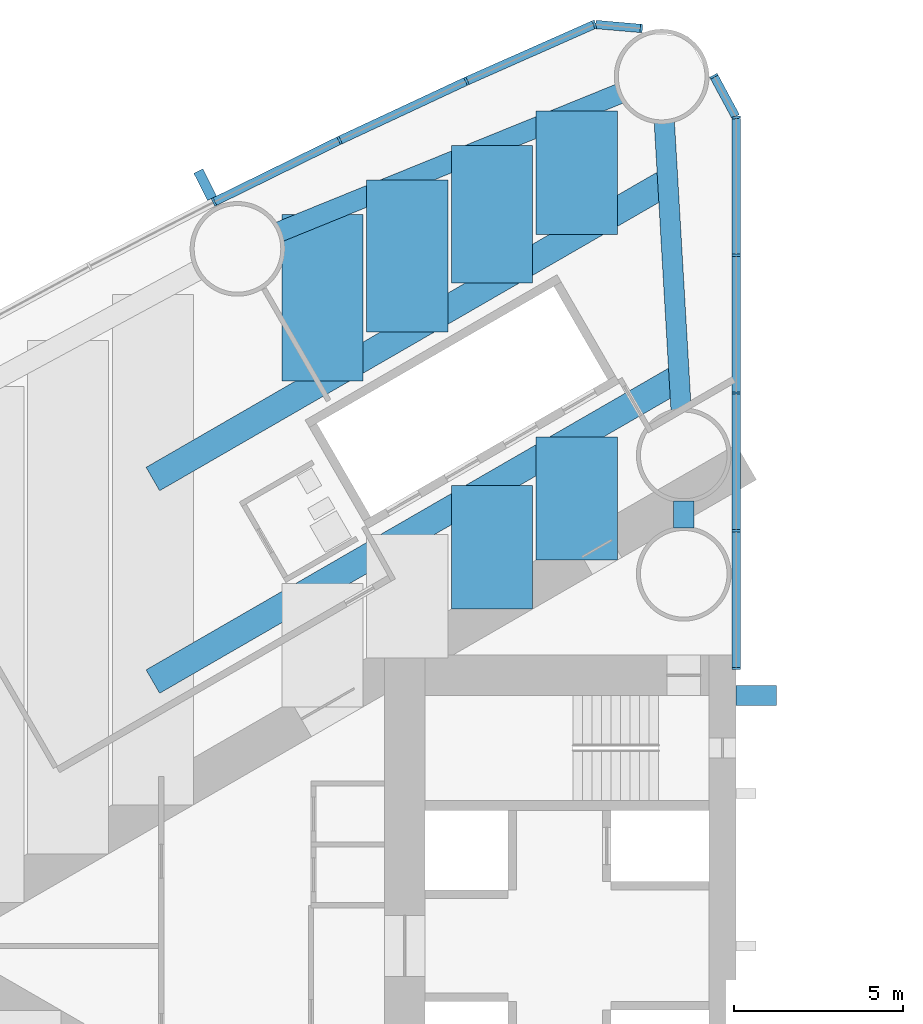
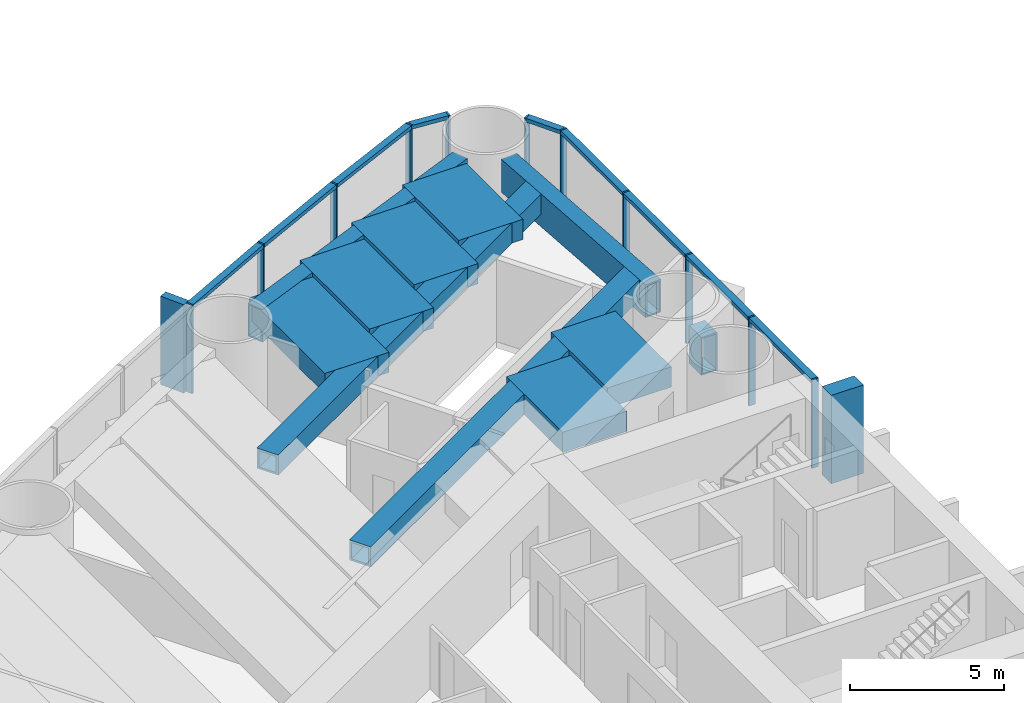
# One storey, part 5 of 19: 22 members, 11 beams, 2 elements without a shape of their own.
"""IFC4 building model written with IfcOpenShell, lengths in metres."""

from ifc_helpers import new_model, si_unit, direction, frame, origin, origin_2d, place, context, subcontext, project, spatial, rectangle, hollow_rectangle, extrude, material, material_profile, profile_set, type_object, element, aggregate, save


model = new_model("IFC4")

# Units and contexts
model_context = context("Model", 3, precision=1e-05, world=origin(), true_north=direction((0.0, 1.0)))
body_context = subcontext(model_context, "Body", "Model", "MODEL_VIEW")
ifc_project = project(units=[si_unit("LENGTHUNIT", "METRE"), si_unit("AREAUNIT", "SQUARE_METRE"), si_unit("VOLUMEUNIT", "CUBIC_METRE"), si_unit("PLANEANGLEUNIT", "RADIAN"), si_unit("MASSUNIT", "GRAM", prefix="KILO")], contexts=[model_context])

# Site, building, storey
site_placement = place(None, origin())
site = spatial("IfcSite", under=ifc_project, at=site_placement, CompositionType="ELEMENT")
building_placement = place(site_placement, origin())
building = spatial("IfcBuilding", under=site, at=building_placement, Name="Lancet Gate Hotel", CompositionType="ELEMENT")
storey_placement = place(building_placement, frame((0.0, 0.0, 74.0)))
storey = spatial("IfcBuildingStorey", under=building, at=storey_placement, Name="L19", CompositionType="ELEMENT", Elevation=74.0)

# Curtain wall, members
ifc_material_1 = material(Name="Aluminium curtain wall", Category="aluminium")
curtain_wall_type = type_object("IfcCurtainWallType", Name="Tower unitised curtain wall", PredefinedType="USERDEFINED", material=ifc_material_1)
curtain_wall_1_placement = place(storey_placement, origin())
curtain_wall_1 = element("IfcCurtainWall", 1, at=curtain_wall_1_placement, inside=storey, type_object=curtain_wall_type, Name="T1 L19 curtain wall 1", ObjectType="UNITISED CURTAIN WALL", PredefinedType="USERDEFINED")
ifc_material_2 = material(Name="Aluminium mullion", Category="aluminium")
ifc_material_profile_1 = material_profile(ifc_material_2, rectangle(XDim=0.06494140625, YDim=0.25, at=origin_2d()), Name="MULLION 65x250")
ifc_profile_set_1 = profile_set([ifc_material_profile_1], Name="Aluminium mullion")
member_type_1 = type_object("IfcMemberType", Name="Aluminium mullion 65x250", PredefinedType="MULLION", material=ifc_profile_set_1)
member_1_placement = place(storey_placement, frame((-27.5, 8.199951171875, 0.0), z_axis=(0.0, 0.0, 1.0), x_axis=(0.0, 1.0, 0.0)))
member_1 = element("IfcMember", 2, at=member_1_placement, type_object=member_type_1, Name="T1 L19 curtain wall 1 mullion 1", PredefinedType="MULLION", context=body_context, shape_type="SweptSolid", body=[
    extrude(rectangle(XDim=0.06494140625, YDim=0.25, at=origin_2d()), origin(), (0.0, 0.0, 1.0), 3.5),
])
member_2_placement = place(storey_placement, frame((-27.5, 12.272705078125, 0.0), z_axis=(0.0, 0.0, 1.0), x_axis=(0.0, 1.0, 0.0)))
member_2 = element("IfcMember", 3, at=member_2_placement, type_object=member_type_1, Name="T1 L19 curtain wall 1 mullion 2", PredefinedType="MULLION", context=body_context, shape_type="SweptSolid", body=[
    extrude(rectangle(XDim=0.06494140625, YDim=0.25, at=origin_2d()), origin(), (0.0, 0.0, 1.0), 3.5),
])
member_3_placement = place(storey_placement, frame((-27.5, 16.345703125, 0.0), z_axis=(0.0, 0.0, 1.0), x_axis=(0.0, 1.0, 0.0)))
member_3 = element("IfcMember", 4, at=member_3_placement, type_object=member_type_1, Name="T1 L19 curtain wall 1 mullion 3", PredefinedType="MULLION", context=body_context, shape_type="SweptSolid", body=[
    extrude(rectangle(XDim=0.06494140625, YDim=0.25, at=origin_2d()), origin(), (0.0, 0.0, 1.0), 3.5),
])
member_4_placement = place(storey_placement, frame((-27.5, 20.41845703125, 0.0), z_axis=(0.0, 0.0, 1.0), x_axis=(0.0, 1.0, 0.0)))
member_4 = element("IfcMember", 5, at=member_4_placement, type_object=member_type_1, Name="T1 L19 curtain wall 1 mullion 4", PredefinedType="MULLION", context=body_context, shape_type="SweptSolid", body=[
    extrude(rectangle(XDim=0.06494140625, YDim=0.25, at=origin_2d()), origin(), (0.0, 0.0, 1.0), 3.5),
])
member_5_placement = place(storey_placement, frame((-27.5, 24.4912109375, 0.0), z_axis=(0.0, 0.0, 1.0), x_axis=(-0.123482502544, 0.992346749662, 0.0)))
member_5 = element("IfcMember", 6, at=member_5_placement, type_object=member_type_1, Name="T1 L19 curtain wall 1 mullion 5", PredefinedType="MULLION", context=body_context, shape_type="SweptSolid", body=[
    extrude(rectangle(XDim=0.06494140625, YDim=0.25, at=origin_2d()), origin(), (0.0, 0.0, 1.0), 3.5),
])
member_6_placement = place(storey_placement, frame((-28.158935546875, 25.712890625, 0.0), z_axis=(0.0, 0.0, 1.0), x_axis=(-0.474631040972, 0.880184852714, 0.0)))
member_6 = element("IfcMember", 7, at=member_6_placement, type_object=member_type_1, Name="T1 L19 curtain wall 1 mullion 6", PredefinedType="MULLION", context=body_context, shape_type="SweptSolid", body=[
    extrude(rectangle(XDim=0.06494140625, YDim=0.25, at=origin_2d()), origin(), (0.0, 0.0, 1.0), 3.5),
])

curtain_wall_2_placement = place(storey_placement, origin())
curtain_wall_2 = element("IfcCurtainWall", 8, at=curtain_wall_2_placement, inside=storey, type_object=curtain_wall_type, Name="T1 L19 curtain wall 2", ObjectType="UNITISED CURTAIN WALL", PredefinedType="USERDEFINED")
member_7_placement = place(storey_placement, frame((-30.3046875, 27.124755859375, 0.0), z_axis=(0.0, 0.0, 1.0), x_axis=(-0.99620380374, 0.087051602022, 0.0)))
member_7 = element("IfcMember", 9, at=member_7_placement, type_object=member_type_1, Name="T1 L19 curtain wall 2 mullion 1", PredefinedType="MULLION", context=body_context, shape_type="SweptSolid", body=[
    extrude(rectangle(XDim=0.06494140625, YDim=0.25, at=origin_2d()), origin(), (0.0, 0.0, 1.0), 3.5),
])
member_8_placement = place(storey_placement, frame((-31.688720703125, 27.24560546875, 0.0), z_axis=(0.0, 0.0, 1.0), x_axis=(-0.957524354695, -0.288352406209, 0.0)))
member_8 = element("IfcMember", 10, at=member_8_placement, type_object=member_type_1, Name="T1 L19 curtain wall 2 mullion 2", PredefinedType="MULLION", context=body_context, shape_type="SweptSolid", body=[
    extrude(rectangle(XDim=0.06494140625, YDim=0.25, at=origin_2d()), origin(), (0.0, 0.0, 1.0), 3.5),
])
member_9_placement = place(storey_placement, frame((-35.473876953125, 25.568115234375, 0.0), z_axis=(0.0, 0.0, 1.0), x_axis=(-0.910219680212, -0.414125746308, 0.0)))
member_9 = element("IfcMember", 11, at=member_9_placement, type_object=member_type_1, Name="T1 L19 curtain wall 2 mullion 3", PredefinedType="MULLION", context=body_context, shape_type="SweptSolid", body=[
    extrude(rectangle(XDim=0.06494140625, YDim=0.25, at=origin_2d()), origin(), (0.0, 0.0, 1.0), 3.5),
])
member_10_placement = place(storey_placement, frame((-39.225341796875, 23.816650390625, 0.0), z_axis=(0.0, 0.0, 1.0), x_axis=(-0.901928838337, -0.431884672772, 0.0)))
member_10 = element("IfcMember", 12, at=member_10_placement, type_object=member_type_1, Name="T1 L19 curtain wall 2 mullion 4", PredefinedType="MULLION", context=body_context, shape_type="SweptSolid", body=[
    extrude(rectangle(XDim=0.06494140625, YDim=0.25, at=origin_2d()), origin(), (0.0, 0.0, 1.0), 3.5),
])
member_11_placement = place(storey_placement, frame((-42.94189453125, 21.991943359375, 0.0), z_axis=(0.0, 0.0, 1.0), x_axis=(-0.893291549794, -0.449477704748, 0.0)))
member_11 = element("IfcMember", 13, at=member_11_placement, type_object=member_type_1, Name="T1 L19 curtain wall 2 mullion 5", PredefinedType="MULLION", context=body_context, shape_type="SweptSolid", body=[
    extrude(rectangle(XDim=0.06494140625, YDim=0.25, at=origin_2d()), origin(), (0.0, 0.0, 1.0), 3.5),
])

# Member
ifc_material_3 = material(Name="Aluminium transom", Category="aluminium")
ifc_material_profile_2 = material_profile(ifc_material_3, rectangle(XDim=0.25, YDim=0.14990234375, at=origin_2d()), Name="TRANSOM 250x150")
ifc_profile_set_2 = profile_set([ifc_material_profile_2], Name="Aluminium transom")
member_type_2 = type_object("IfcMemberType", Name="Aluminium transom 250x150", PredefinedType="USERDEFINED", material=ifc_profile_set_2)
member_12_placement = place(storey_placement, frame((-27.5, 8.232421875, 3.425048828125), z_axis=(0.0, 1.0, 0.0), x_axis=(-1.0, 0.0, 0.0)))
member_12 = element("IfcMember", 14, at=member_12_placement, type_object=member_type_2, Name="T1 L19 curtain wall 1 transom 1", ObjectType="TRANSOM", PredefinedType="USERDEFINED", context=body_context, shape_type="SweptSolid", body=[
    extrude(rectangle(XDim=0.25, YDim=0.14990234375, at=origin_2d()), origin(), (0.0, 0.0, 1.0), 4.0078125),
])

member_13_placement = place(storey_placement, frame((-27.5, 12.30517578125, 3.425048828125), z_axis=(0.0, 1.0, 0.0), x_axis=(-1.0, 0.0, 0.0)))
member_13 = element("IfcMember", 15, at=member_13_placement, type_object=member_type_2, Name="T1 L19 curtain wall 1 transom 2", ObjectType="TRANSOM", PredefinedType="USERDEFINED", context=body_context, shape_type="SweptSolid", body=[
    extrude(rectangle(XDim=0.25, YDim=0.14990234375, at=origin_2d()), origin(), (0.0, 0.0, 1.0), 4.0078125),
])

member_14_placement = place(storey_placement, frame((-27.5, 16.378173828125, 3.425048828125), z_axis=(0.0, 1.0, 0.0), x_axis=(-1.0, 0.0, 0.0)))
member_14 = element("IfcMember", 16, at=member_14_placement, type_object=member_type_2, Name="T1 L19 curtain wall 1 transom 3", ObjectType="TRANSOM", PredefinedType="USERDEFINED", context=body_context, shape_type="SweptSolid", body=[
    extrude(rectangle(XDim=0.25, YDim=0.14990234375, at=origin_2d()), origin(), (0.0, 0.0, 1.0), 4.0078125),
])

member_15_placement = place(storey_placement, frame((-27.5, 20.450927734375, 3.425048828125), z_axis=(0.0, 1.0, 0.0), x_axis=(-1.0, 0.0, 0.0)))
member_15 = element("IfcMember", 17, at=member_15_placement, type_object=member_type_2, Name="T1 L19 curtain wall 1 transom 4", ObjectType="TRANSOM", PredefinedType="USERDEFINED", context=body_context, shape_type="SweptSolid", body=[
    extrude(rectangle(XDim=0.25, YDim=0.14990234375, at=origin_2d()), origin(), (0.0, 0.0, 1.0), 4.0078125),
])

member_16_placement = place(storey_placement, frame((-27.515380859375, 24.519775390625, 3.425048828125), z_axis=(-0.474605926905, 0.880198394765, 0.0), x_axis=(-0.880198394765, -0.474605926905, 0.0)))
member_16 = element("IfcMember", 18, at=member_16_placement, type_object=member_type_2, Name="T1 L19 curtain wall 1 transom 5", ObjectType="TRANSOM", PredefinedType="USERDEFINED", context=body_context, shape_type="SweptSolid", body=[
    extrude(rectangle(XDim=0.25, YDim=0.14990234375, at=origin_2d()), origin(), (0.0, 0.0, 1.0), 1.322998046875),
])

aggregate(curtain_wall_1, [member_1, member_2, member_3, member_4, member_5, member_6, member_12, member_13, member_14, member_15, member_16])

member_17_placement = place(storey_placement, frame((-30.337158203125, 27.127685546875, 3.425048828125), z_axis=(-0.99620591587, 0.087027427779, 0.0), x_axis=(-0.087027427779, -0.99620591587, 0.0)))
member_17 = element("IfcMember", 19, at=member_17_placement, type_object=member_type_2, Name="T1 L19 curtain wall 2 transom 1", ObjectType="TRANSOM", PredefinedType="USERDEFINED", context=body_context, shape_type="SweptSolid", body=[
    extrude(rectangle(XDim=0.25, YDim=0.14990234375, at=origin_2d()), origin(), (0.0, 0.0, 1.0), 1.32421875),
])

member_18_placement = place(storey_placement, frame((-31.71826171875, 27.232421875, 3.425048828125), z_axis=(-0.914248281954, -0.405154389022, 0.0), x_axis=(0.405154389022, -0.914248281954, 0.0)))
member_18 = element("IfcMember", 20, at=member_18_placement, type_object=member_type_2, Name="T1 L19 curtain wall 2 transom 2", ObjectType="TRANSOM", PredefinedType="USERDEFINED", context=body_context, shape_type="SweptSolid", body=[
    extrude(rectangle(XDim=0.25, YDim=0.14990234375, at=origin_2d()), origin(), (0.0, 0.0, 1.0), 4.0751953125),
])

member_19_placement = place(storey_placement, frame((-35.503173828125, 25.554443359375, 3.425048828125), z_axis=(-0.906109667261, -0.423042871228, 0.0), x_axis=(0.423042871228, -0.906109667261, 0.0)))
member_19 = element("IfcMember", 21, at=member_19_placement, type_object=member_type_2, Name="T1 L19 curtain wall 2 transom 3", ObjectType="TRANSOM", PredefinedType="USERDEFINED", context=body_context, shape_type="SweptSolid", body=[
    extrude(rectangle(XDim=0.25, YDim=0.14990234375, at=origin_2d()), origin(), (0.0, 0.0, 1.0), 4.075439453125),
])

member_20_placement = place(storey_placement, frame((-39.254638671875, 23.80224609375, 3.425048828125), z_axis=(-0.897662439958, -0.440683723194, 0.0), x_axis=(0.440683723194, -0.897662439958, 0.0)))
member_20 = element("IfcMember", 22, at=member_20_placement, type_object=member_type_2, Name="T1 L19 curtain wall 2 transom 4", ObjectType="TRANSOM", PredefinedType="USERDEFINED", context=body_context, shape_type="SweptSolid", body=[
    extrude(rectangle(XDim=0.25, YDim=0.14990234375, at=origin_2d()), origin(), (0.0, 0.0, 1.0), 4.0751953125),
])

# Beams
ifc_material_4 = material(Name="Steel S460QL", Category="steel")
ifc_material_profile_3 = material_profile(ifc_material_4, hollow_rectangle(XDim=0.60009765625, YDim=1.300048828125, WallThickness=0.050048828125, at=origin_2d()), Name="BOX 1300x600x50")
ifc_profile_set_3 = profile_set([ifc_material_profile_3], Name="Steel S460QL")
beam_type_1 = type_object("IfcBeamType", Name="Edge beam BOX 1300x600x50", PredefinedType="SPANDREL", material=ifc_profile_set_3)
beam_1_placement = place(storey_placement, frame((-30.9541015625, 25.194580078125, 2.60009765625), z_axis=(-0.926458966929, -0.376395779196, 0.0), x_axis=(0.376395779196, -0.926458966929, 0.0)))
element("IfcBeam", 23, at=beam_1_placement, inside=storey, type_object=beam_type_1, Name="T1 edge beam EB2 L19", PredefinedType="SPANDREL", context=body_context, shape_type="SweptSolid", body=[
    extrude(hollow_rectangle(XDim=0.60009765625, YDim=1.300048828125, WallThickness=0.050048828125, at=origin_2d()), origin(), (0.0, 0.0, 1.0), 10.837158203125),
])
beam_2_placement = place(storey_placement, frame((-29.624755859375, 24.35498046875, 2.60009765625), z_axis=(0.058214827762, -0.99830407884, 0.0), x_axis=(0.99830407884, 0.058214827762, 0.0)))
element("IfcBeam", 24, at=beam_2_placement, inside=storey, type_object=beam_type_1, Name="T1 edge beam EB2 L19", PredefinedType="SPANDREL", context=body_context, shape_type="SweptSolid", body=[
    extrude(hollow_rectangle(XDim=0.60009765625, YDim=1.300048828125, WallThickness=0.050048828125, at=origin_2d()), origin(), (0.0, 0.0, 1.0), 8.521728515625),
])

# Member
ifc_material_5 = material(Name="Concrete C60/75", Category="concrete")
ifc_material_profile_4 = material_profile(ifc_material_5, rectangle(XDim=0.60009765625, YDim=1.199951171875, at=origin_2d()), Name="FIN 600x1200")
ifc_profile_set_4 = profile_set([ifc_material_profile_4], Name="Concrete C60/75")
member_type_3 = type_object("IfcMemberType", Name="Exposed concrete buttress pilaster 600x1200", PredefinedType="USERDEFINED", material=ifc_profile_set_4)
member_21_placement = place(storey_placement, frame((-26.909912109375, 7.39990234375, 0.0), z_axis=(0.0, 0.0, 1.0), x_axis=(0.0, 1.0, 0.0)))
element("IfcMember", 25, at=member_21_placement, inside=storey, type_object=member_type_3, Name="T1 buttress pilaster S L19", ObjectType="FIN", PredefinedType="USERDEFINED", context=body_context, shape_type="SweptSolid", body=[
    extrude(rectangle(XDim=0.60009765625, YDim=1.199951171875, at=origin_2d()), origin(), (0.0, 0.0, 1.0), 3.5),
])

ifc_material_6 = material(Name="Precast concrete C50/60", Category="concrete")
ifc_material_profile_5 = material_profile(ifc_material_6, rectangle(XDim=0.300048828125, YDim=0.89990234375, at=origin_2d()), Name="FIN 300x900")
ifc_profile_set_5 = profile_set([ifc_material_profile_5], Name="Precast concrete C50/60")
member_type_4 = type_object("IfcMemberType", Name="Exposed concrete fin 300x900", PredefinedType="USERDEFINED", material=ifc_profile_set_5)
member_22_placement = place(storey_placement, frame((-43.200439453125, 22.505615234375, 0.0), z_axis=(0.0, 0.0, 1.0), x_axis=(-0.893291549794, -0.449477704748, 0.0)))
member_22 = element("IfcMember", 26, at=member_22_placement, type_object=member_type_4, Name="T1 L19 curtain wall 2 fin 5", ObjectType="FIN", PredefinedType="USERDEFINED", context=body_context, shape_type="SweptSolid", body=[
    extrude(rectangle(XDim=0.300048828125, YDim=0.89990234375, at=origin_2d()), origin(), (0.0, 0.0, 1.0), 3.5),
])

aggregate(curtain_wall_2, [member_7, member_8, member_9, member_10, member_11, member_22, member_17, member_18, member_19, member_20])

# Beams
ifc_material_7 = material(Name="Concrete C50/60", Category="concrete")
ifc_material_profile_6 = material_profile(ifc_material_7, rectangle(XDim=2.39990234375, YDim=0.800048828125, at=origin_2d()), Name="RC 2400x800")
ifc_profile_set_6 = profile_set([ifc_material_profile_6], Name="Concrete C50/60")
beam_type_2 = type_object("IfcBeamType", Name="Floor beam RC 2400x800", PredefinedType="BEAM", material=ifc_profile_set_6)
beam_3_placement = place(storey_placement, frame((-32.213623046875, 24.682861328125, 2.85009765625), z_axis=(0.0, -1.0, 0.0), x_axis=(1.0, 0.0, 0.0)))
element("IfcBeam", 27, at=beam_3_placement, inside=storey, type_object=beam_type_2, Name="T1 floor beam F02SA L19", PredefinedType="BEAM", context=body_context, shape_type="SweptSolid", body=[
    extrude(rectangle(XDim=2.39990234375, YDim=0.800048828125, at=origin_2d()), origin(), (0.0, 0.0, 1.0), 3.643798828125),
])
beam_4_placement = place(storey_placement, frame((-32.213623046875, 15.051025390625, 2.85009765625), z_axis=(0.0, -1.0, 0.0), x_axis=(1.0, 0.0, 0.0)))
element("IfcBeam", 28, at=beam_4_placement, inside=storey, type_object=beam_type_2, Name="T1 floor beam F02SB L19", PredefinedType="BEAM", context=body_context, shape_type="SweptSolid", body=[
    extrude(rectangle(XDim=2.39990234375, YDim=0.800048828125, at=origin_2d()), origin(), (0.0, 0.0, 1.0), 3.645751953125),
])
beam_5_placement = place(storey_placement, frame((-34.720458984375, 23.664306640625, 2.85009765625), z_axis=(0.0, -1.0, 0.0), x_axis=(1.0, 0.0, 0.0)))
element("IfcBeam", 29, at=beam_5_placement, inside=storey, type_object=beam_type_2, Name="T1 floor beam F04SA L19", PredefinedType="BEAM", context=body_context, shape_type="SweptSolid", body=[
    extrude(rectangle(XDim=2.39990234375, YDim=0.800048828125, at=origin_2d()), origin(), (0.0, 0.0, 1.0), 4.07275390625),
])
beam_6_placement = place(storey_placement, frame((-34.720458984375, 13.603759765625, 2.85009765625), z_axis=(0.0, -1.0, 0.0), x_axis=(1.0, 0.0, 0.0)))
element("IfcBeam", 30, at=beam_6_placement, inside=storey, type_object=beam_type_2, Name="T1 floor beam F04SB L19", PredefinedType="BEAM", context=body_context, shape_type="SweptSolid", body=[
    extrude(rectangle(XDim=2.39990234375, YDim=0.800048828125, at=origin_2d()), origin(), (0.0, 0.0, 1.0), 3.645751953125),
])
beam_7_placement = place(storey_placement, frame((-37.227294921875, 22.64599609375, 2.85009765625), z_axis=(0.0, -1.0, 0.0), x_axis=(1.0, 0.0, 0.0)))
element("IfcBeam", 31, at=beam_7_placement, inside=storey, type_object=beam_type_2, Name="T1 floor beam F05SA L19", PredefinedType="BEAM", context=body_context, shape_type="SweptSolid", body=[
    extrude(rectangle(XDim=2.39990234375, YDim=0.800048828125, at=origin_2d()), origin(), (0.0, 0.0, 1.0), 4.501953125),
])
beam_8_placement = place(storey_placement, frame((-39.734130859375, 21.627685546875, 2.85009765625), z_axis=(0.0, -1.0, 0.0), x_axis=(1.0, 0.0, 0.0)))
element("IfcBeam", 32, at=beam_8_placement, inside=storey, type_object=beam_type_2, Name="T1 floor beam F07SA L19", PredefinedType="BEAM", context=body_context, shape_type="SweptSolid", body=[
    extrude(rectangle(XDim=2.39990234375, YDim=0.800048828125, at=origin_2d()), origin(), (0.0, 0.0, 1.0), 4.93115234375),
])
ifc_material_8 = material(Name="Steel S460QL", Category="steel")
ifc_material_profile_7 = material_profile(ifc_material_8, hollow_rectangle(XDim=0.60009765625, YDim=1.5, WallThickness=0.050048828125, at=origin_2d()), Name="BOX 1500x600x50")
ifc_profile_set_7 = profile_set([ifc_material_profile_7], Name="Steel S460QL")
beam_type_3 = type_object("IfcBeamType", Name="Inner-face link beam BOX 1500x600x50", PredefinedType="BEAM", material=ifc_profile_set_7)
beam_9_placement = place(storey_placement, frame((-29.050048828125, 13.14990234375, 2.5), z_axis=(0.0, -1.0, 0.0), x_axis=(1.0, 0.0, 0.0)))
element("IfcBeam", 33, at=beam_9_placement, inside=storey, type_object=beam_type_3, Name="T1 inner-face link beam LK1 L19", PredefinedType="BEAM", context=body_context, shape_type="SweptSolid", body=[
    extrude(hollow_rectangle(XDim=0.60009765625, YDim=1.5, WallThickness=0.050048828125, at=origin_2d()), origin(), (0.0, 0.0, 1.0), 0.7998046875),
])
ifc_material_9 = material(Name="Steel S460QL", Category="steel")
ifc_material_profile_8 = material_profile(ifc_material_9, hollow_rectangle(XDim=0.800048828125, YDim=0.800048828125, WallThickness=0.080078125, at=origin_2d()), Name="BOX 800x800x80")
ifc_profile_set_8 = profile_set([ifc_material_profile_8], Name="Steel S460QL")
beam_type_4 = type_object("IfcBeamType", Name="Trimmer beam BOX 800x800x80", PredefinedType="BEAM", material=ifc_profile_set_8)
beam_10_placement = place(storey_placement, frame((-29.18408203125, 16.800537109375, 2.85009765625), z_axis=(-0.865998945969, -0.500045823481, 0.0), x_axis=(0.500045823481, -0.865998945969, 0.0)))
element("IfcBeam", 34, at=beam_10_placement, inside=storey, type_object=beam_type_4, Name="T1 trimmer beam TR01S L19", PredefinedType="BEAM", context=body_context, shape_type="SweptSolid", body=[
    extrude(hollow_rectangle(XDim=0.800048828125, YDim=0.800048828125, WallThickness=0.080078125, at=origin_2d()), origin(), (0.0, 0.0, 1.0), 17.971923828125),
])
beam_11_placement = place(storey_placement, frame((-29.52197265625, 22.59326171875, 2.85009765625), z_axis=(-0.866004054636, -0.500036975987, 0.0), x_axis=(0.500036975987, -0.866004054636, 0.0)))
element("IfcBeam", 35, at=beam_11_placement, inside=storey, type_object=beam_type_4, Name="T1 trimmer beam TR02S L19", PredefinedType="BEAM", context=body_context, shape_type="SweptSolid", body=[
    extrude(hollow_rectangle(XDim=0.800048828125, YDim=0.800048828125, WallThickness=0.080078125, at=origin_2d()), origin(), (0.0, 0.0, 1.0), 17.581787109375),
])

save(model, "model.ifc")
